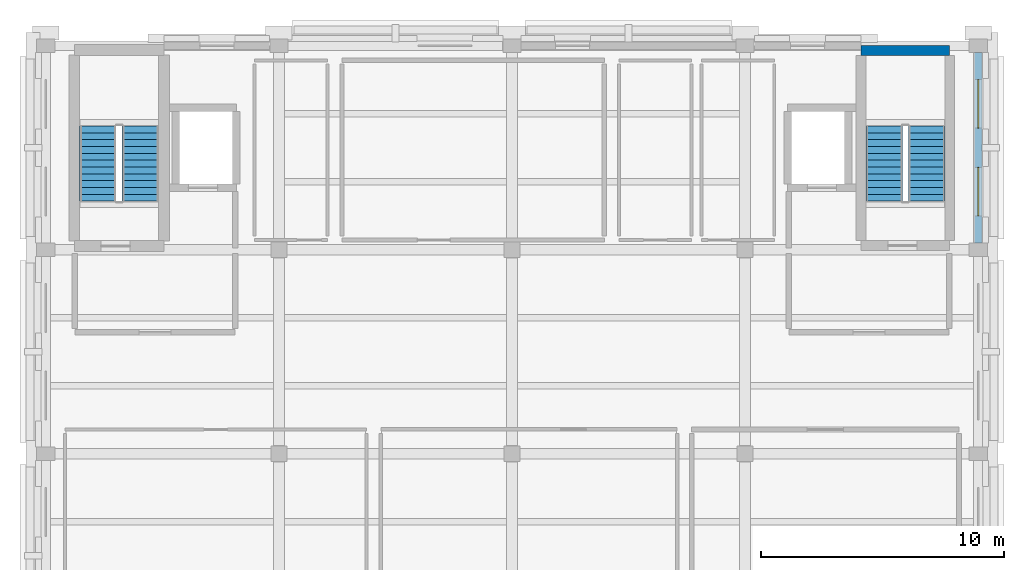
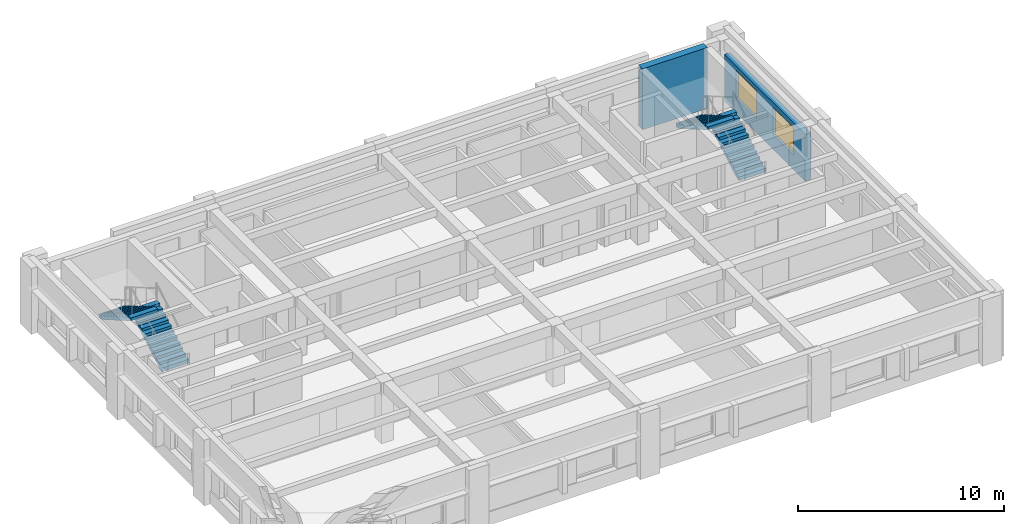
# One storey, part 4 of 7: 4 stair flights, 2 walls, 2 windows, 2 openings, 2 elements without a shape of their own.
"""IFC4 building model written with IfcOpenShell, lengths in metres."""

from ifc_helpers import new_model, si_unit, direction, frame, frame_2d, origin, place, context, subcontext, project, spatial, polyline, rectangle, outline, extrude, material, layer, layer_set, type_object, element, fill, aggregate, save


model = new_model("IFC4")

# Units and contexts
model_context = context("Model", 3, precision=1e-05, world=origin(), true_north=direction((0.0, 1.0)))
body_context = subcontext(model_context, "Body", "Model", "MODEL_VIEW")
ifc_project = project(units=[si_unit("LENGTHUNIT", "METRE"), si_unit("AREAUNIT", "SQUARE_METRE"), si_unit("VOLUMEUNIT", "CUBIC_METRE"), si_unit("PLANEANGLEUNIT", "RADIAN"), si_unit("MASSUNIT", "GRAM", prefix="KILO")], contexts=[model_context])

# Site, building, storey
site_placement = place(None, origin())
site = spatial("IfcSite", under=ifc_project, at=site_placement, CompositionType="ELEMENT")
building_placement = place(site_placement, origin())
building = spatial("IfcBuilding", under=site, at=building_placement, Name="Bempovik Park Faculty of Sciences", CompositionType="ELEMENT")
storey_placement = place(building_placement, frame((0.0, 0.0, 42.300048828125)))
storey = spatial("IfcBuildingStorey", under=building, at=storey_placement, Name="L10", CompositionType="ELEMENT", Elevation=42.300048828125)

# Wall
ifc_material_1 = material(Name="Concrete C40/50", Category="concrete")
ifc_layer_1 = layer(ifc_material_1, 0.39990234375)
ifc_layer_set_1 = layer_set([ifc_layer_1], Name="Concrete C40/50")
wall_type_1 = type_object("IfcWallType", Name="W-47 Wall 400mm", PredefinedType="SHEAR", material=ifc_layer_set_1)
wall_1_placement = place(storey_placement, frame((103.175048828125, 119.199951171875, 0.0), z_axis=(0.0, 0.0, 1.0), x_axis=(1.0, 0.0, 0.0)))
element("IfcWall", 1, at=wall_1_placement, inside=storey, type_object=wall_type_1, Name="ST-2 L10 Core Shear Wall North", PredefinedType="SHEAR", context=body_context, shape_type="SweptSolid", body=[
    extrude(rectangle(XDim=3.64990234375, YDim=0.39990234375, at=frame_2d((1.824951171875, 0.0))), origin(), (0.0, 0.0, 1.0), 3.619873046875),
])

# Wall, openings, windows
ifc_material_2 = material(Name="Precast concrete C40/50", Category="concrete")
ifc_layer_2 = layer(ifc_material_2, 0.320068359375)
ifc_layer_set_2 = layer_set([ifc_layer_2], Name="Precast concrete C40/50")
wall_type_2 = type_object("IfcWallType", Name="W-56 Wall 320mm", PredefinedType="SOLIDWALL", material=ifc_layer_set_2)
wall_2_placement = place(storey_placement, frame((108.0, 111.277099609375, 0.0), z_axis=(0.0, 0.0, 1.0), x_axis=(0.0, 1.0, 0.0)))
wall_2 = element("IfcWall", 2, at=wall_2_placement, inside=storey, type_object=wall_type_2, Name="L10 Classical Precast Facade Wall EW-L10-11162", PredefinedType="SOLIDWALL", context=body_context, shape_type="SweptSolid", body=[
    extrude(rectangle(XDim=7.845947265625, YDim=0.320068359375, at=frame_2d((3.9228515625, 0.0))), origin(), (0.0, 0.0, 1.0), 2.780029296875),
])
opening_1_placement = place(wall_2_placement, frame((1.118408203125, 0.0, 0.85009765625)))
opening_1 = element("IfcOpeningElement", 3, at=opening_1_placement, cuts=wall_2, Name="Opening WN-35", PredefinedType="OPENING", context=body_context, shape_type="SweptSolid", body=[
    extrude(rectangle(XDim=2.0, YDim=1.64990234375, at=frame_2d((1.0, 0.824951171875))), frame((0.0, 0.169921875, 0.0), z_axis=(0.0, -1.0, 0.0), x_axis=(1.0, 0.0, 0.0)), (0.0, 0.0, 1.0), 0.340087890625),
])
opening_2_placement = place(wall_2_placement, frame((4.7275390625, 0.0, 0.85009765625)))
opening_2 = element("IfcOpeningElement", 4, at=opening_2_placement, cuts=wall_2, Name="Opening WN-35", PredefinedType="OPENING", context=body_context, shape_type="SweptSolid", body=[
    extrude(rectangle(XDim=2.0, YDim=1.64990234375, at=frame_2d((1.0, 0.824951171875))), frame((0.0, 0.169921875, 0.0), z_axis=(0.0, -1.0, 0.0), x_axis=(1.0, 0.0, 0.0)), (0.0, 0.0, 1.0), 0.340087890625),
])
ifc_material_3 = material(Name="Tempered laminated low-E glass", Category="glass")
window_type = type_object("IfcWindowType", Name="WN-35 Window 2000x1650", PartitioningType="SINGLE_PANEL", PredefinedType="WINDOW", material=ifc_material_3)
window_1_placement = place(opening_1_placement, origin())
window_1 = element("IfcWindow", 5, at=window_1_placement, inside=storey, type_object=window_type, Name="L10 Window EW-L10-11162-1", OverallHeight=1.64990234375, OverallWidth=2.0, PartitioningType="SINGLE_PANEL", PredefinedType="WINDOW", context=body_context, shape_type="SweptSolid", body=[
    extrude(rectangle(XDim=2.0, YDim=1.64990234375, at=frame_2d((1.0, 0.824951171875))), frame((0.0, 0.030029296875, 0.0), z_axis=(0.0, -1.0, 0.0), x_axis=(1.0, 0.0, 0.0)), (0.0, 0.0, 1.0), 0.06005859375),
])
fill(opening_1, window_1)
window_2_placement = place(opening_2_placement, origin())
window_2 = element("IfcWindow", 6, at=window_2_placement, inside=storey, type_object=window_type, Name="L10 Window EW-L10-11162-2", OverallHeight=1.64990234375, OverallWidth=2.0, PartitioningType="SINGLE_PANEL", PredefinedType="WINDOW", context=body_context, shape_type="SweptSolid", body=[
    extrude(rectangle(XDim=2.0, YDim=1.64990234375, at=frame_2d((1.0, 0.824951171875))), frame((0.0, 0.030029296875, 0.0), z_axis=(0.0, -1.0, 0.0), x_axis=(1.0, 0.0, 0.0)), (0.0, 0.0, 1.0), 0.06005859375),
])
fill(opening_2, window_2)

# Stair, stair flights
ifc_material_4 = material(Name="Concrete C35/45", Category="concrete")
stair_type = type_object("IfcStairType", Name="ST-17 Stair W1500 H3900", PredefinedType="HALF_TURN_STAIR", material=ifc_material_4)
stair_1_placement = place(storey_placement, origin())
stair_1 = element("IfcStair", 7, at=stair_1_placement, inside=storey, type_object=stair_type, Name="L10 ST-1 Dog-Leg Exit Stair", PredefinedType="HALF_TURN_STAIR")
stair_flight_type = type_object("IfcStairFlightType", Name="FL-16 Flight W1500 H3900", PredefinedType="STRAIGHT", material=ifc_material_4)
stair_flight_1_placement = place(storey_placement, frame((73.5, 113.0, 0.0), z_axis=(0.0, 0.0, 1.0), x_axis=(0.0, 1.0, 0.0)))
stair_flight_1 = element("IfcStairFlight", 8, at=stair_flight_1_placement, type_object=stair_flight_type, Name="ST-17 flight 1", NumberOfRisers=12, NumberOfTreads=11, PredefinedType="STRAIGHT", RiserHeight=0.1625, TreadLength=0.28125, context=body_context, shape_type="SweptSolid", body=[
    extrude(outline(polyline([(0.0, 0.0), (0.0, 0.16259765625), (0.28125, 0.16259765625), (0.28125, 0.324951171875), (0.5625, 0.324951171875), (0.5625, 0.487548828125), (0.84375, 0.487548828125), (0.84375, 0.64990234375), (1.125, 0.64990234375), (1.125, 0.8125), (1.40625, 0.8125), (1.40625, 0.97509765625), (1.6875, 0.97509765625), (1.6875, 1.137451171875), (1.96875, 1.137451171875), (1.96875, 1.300048828125), (2.25, 1.300048828125), (2.25, 1.46240234375), (2.53125, 1.46240234375), (2.53125, 1.625), (2.8125, 1.625), (2.8125, 1.78759765625), (3.09375, 1.78759765625), (3.09375, 1.949951171875), (3.09375, 1.6142578125), (0.299560546875, 0.0), (0.0625, -0.0625), (0.0, -0.0625), (0.0, 0.0)])), frame((0.0, 0.75, 0.0), z_axis=(0.0, -1.0, 0.0), x_axis=(1.0, 0.0, 0.0)), (0.0, 0.0, 1.0), 1.5),
])
stair_flight_2_placement = place(storey_placement, frame((71.75, 116.09375, 1.949951171875), z_axis=(0.0, 0.0, 1.0), x_axis=(0.0, -1.0, 0.0)))
stair_flight_2 = element("IfcStairFlight", 9, at=stair_flight_2_placement, type_object=stair_flight_type, Name="ST-17 flight 2", NumberOfRisers=12, NumberOfTreads=11, PredefinedType="STRAIGHT", RiserHeight=0.1625, TreadLength=0.28125, context=body_context, shape_type="SweptSolid", body=[
    extrude(outline(polyline([(0.0, 0.0), (0.0, 0.16259765625), (0.28125, 0.16259765625), (0.28125, 0.324951171875), (0.5625, 0.324951171875), (0.5625, 0.487548828125), (0.84375, 0.487548828125), (0.84375, 0.64990234375), (1.125, 0.64990234375), (1.125, 0.8125), (1.40625, 0.8125), (1.40625, 0.97509765625), (1.6875, 0.97509765625), (1.6875, 1.137451171875), (1.96875, 1.137451171875), (1.96875, 1.300048828125), (2.25, 1.300048828125), (2.25, 1.46240234375), (2.53125, 1.46240234375), (2.53125, 1.625), (2.8125, 1.625), (2.8125, 1.78759765625), (3.09375, 1.78759765625), (3.09375, 1.949951171875), (3.09375, 1.6142578125), (0.299560546875, 0.0), (0.0625, -0.0625), (0.0, -0.0625), (0.0, 0.0)])), frame((0.0, 0.75, 0.0), z_axis=(0.0, -1.0, 0.0), x_axis=(1.0, 0.0, 0.0)), (0.0, 0.0, 1.0), 1.5),
])
aggregate(stair_1, [stair_flight_1, stair_flight_2])

stair_2_placement = place(storey_placement, origin())
stair_2 = element("IfcStair", 10, at=stair_2_placement, inside=storey, type_object=stair_type, Name="L10 ST-2 Dog-Leg Exit Stair", PredefinedType="HALF_TURN_STAIR")
stair_flight_3_placement = place(storey_placement, frame((105.875, 113.0, 0.0), z_axis=(0.0, 0.0, 1.0), x_axis=(0.0, 1.0, 0.0)))
stair_flight_3 = element("IfcStairFlight", 11, at=stair_flight_3_placement, type_object=stair_flight_type, Name="ST-17 flight 1", NumberOfRisers=12, NumberOfTreads=11, PredefinedType="STRAIGHT", RiserHeight=0.1625, TreadLength=0.28125, context=body_context, shape_type="SweptSolid", body=[
    extrude(outline(polyline([(0.0, 0.0), (0.0, 0.16259765625), (0.28125, 0.16259765625), (0.28125, 0.324951171875), (0.5625, 0.324951171875), (0.5625, 0.487548828125), (0.84375, 0.487548828125), (0.84375, 0.64990234375), (1.125, 0.64990234375), (1.125, 0.8125), (1.40625, 0.8125), (1.40625, 0.97509765625), (1.6875, 0.97509765625), (1.6875, 1.137451171875), (1.96875, 1.137451171875), (1.96875, 1.300048828125), (2.25, 1.300048828125), (2.25, 1.46240234375), (2.53125, 1.46240234375), (2.53125, 1.625), (2.8125, 1.625), (2.8125, 1.78759765625), (3.09375, 1.78759765625), (3.09375, 1.949951171875), (3.09375, 1.6142578125), (0.299560546875, 0.0), (0.0625, -0.0625), (0.0, -0.0625), (0.0, 0.0)])), frame((0.0, 0.75, 0.0), z_axis=(0.0, -1.0, 0.0), x_axis=(1.0, 0.0, 0.0)), (0.0, 0.0, 1.0), 1.5),
])
stair_flight_4_placement = place(storey_placement, frame((104.125, 116.09375, 1.949951171875), z_axis=(0.0, 0.0, 1.0), x_axis=(0.0, -1.0, 0.0)))
stair_flight_4 = element("IfcStairFlight", 12, at=stair_flight_4_placement, type_object=stair_flight_type, Name="ST-17 flight 2", NumberOfRisers=12, NumberOfTreads=11, PredefinedType="STRAIGHT", RiserHeight=0.1625, TreadLength=0.28125, context=body_context, shape_type="SweptSolid", body=[
    extrude(outline(polyline([(0.0, 0.0), (0.0, 0.16259765625), (0.28125, 0.16259765625), (0.28125, 0.324951171875), (0.5625, 0.324951171875), (0.5625, 0.487548828125), (0.84375, 0.487548828125), (0.84375, 0.64990234375), (1.125, 0.64990234375), (1.125, 0.8125), (1.40625, 0.8125), (1.40625, 0.97509765625), (1.6875, 0.97509765625), (1.6875, 1.137451171875), (1.96875, 1.137451171875), (1.96875, 1.300048828125), (2.25, 1.300048828125), (2.25, 1.46240234375), (2.53125, 1.46240234375), (2.53125, 1.625), (2.8125, 1.625), (2.8125, 1.78759765625), (3.09375, 1.78759765625), (3.09375, 1.949951171875), (3.09375, 1.6142578125), (0.299560546875, 0.0), (0.0625, -0.0625), (0.0, -0.0625), (0.0, 0.0)])), frame((0.0, 0.75, 0.0), z_axis=(0.0, -1.0, 0.0), x_axis=(1.0, 0.0, 0.0)), (0.0, 0.0, 1.0), 1.5),
])
aggregate(stair_2, [stair_flight_3, stair_flight_4])

save(model, "model.ifc")
